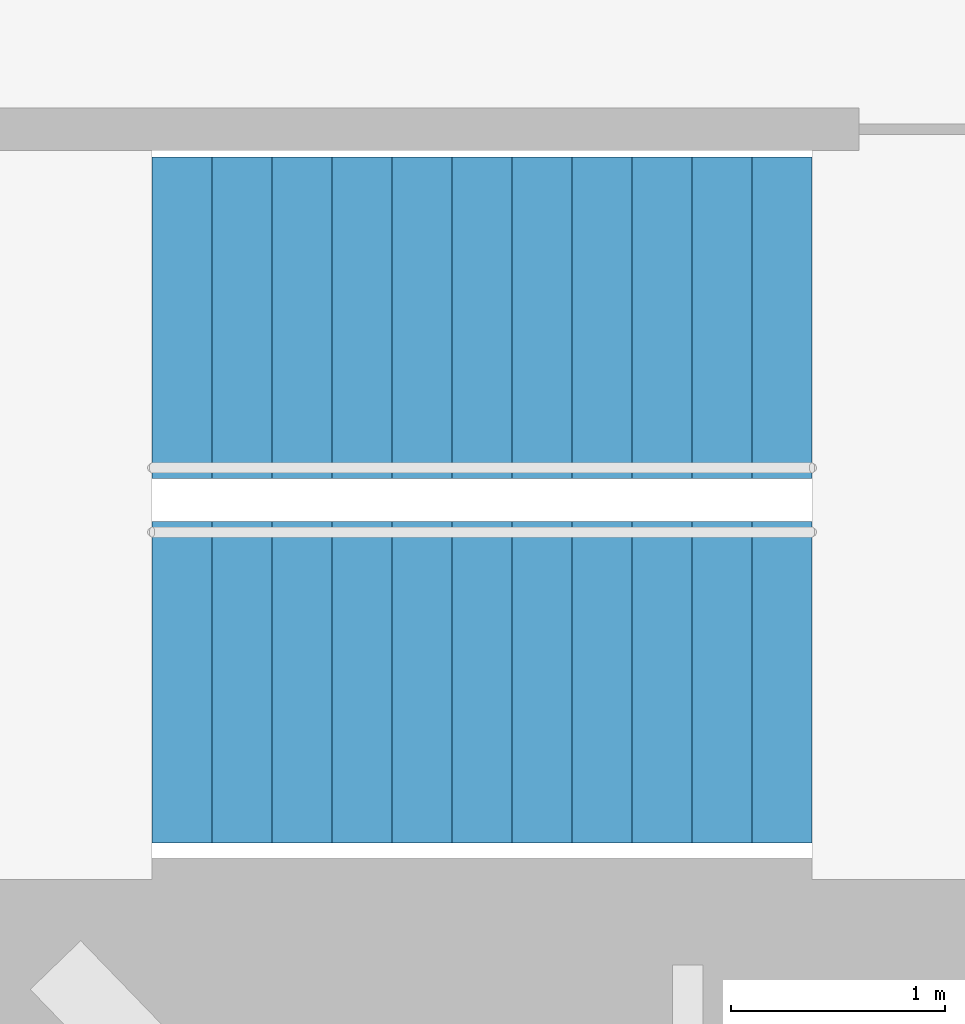
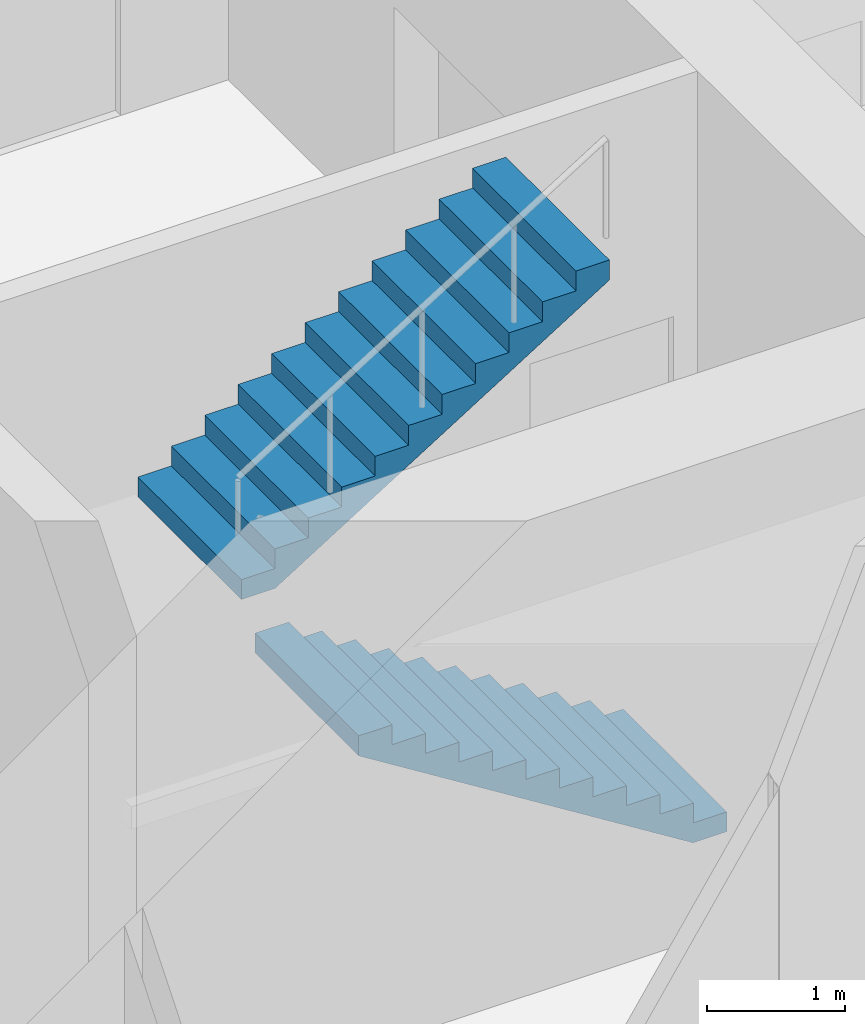
# One storey, part 18 of 19: 2 stair flights, 1 element without a shape of its own.
"""IFC4 building model written with IfcOpenShell, lengths in metres."""

from ifc_helpers import new_model, si_unit, direction, frame, origin, place, context, subcontext, project, spatial, triangles, material, type_object, element, aggregate, save


model = new_model("IFC4")

# Units and contexts
model_context = context("Model", 3, precision=1e-05, world=origin(), true_north=direction((0.0, 1.0)))
body_context = subcontext(model_context, "Body", "Model", "MODEL_VIEW")
ifc_project = project(units=[si_unit("LENGTHUNIT", "METRE"), si_unit("AREAUNIT", "SQUARE_METRE"), si_unit("VOLUMEUNIT", "CUBIC_METRE"), si_unit("PLANEANGLEUNIT", "RADIAN"), si_unit("MASSUNIT", "GRAM", prefix="KILO")], contexts=[model_context])

# Site, building, storey
site_placement = place(None, origin())
site = spatial("IfcSite", under=ifc_project, at=site_placement, CompositionType="ELEMENT")
building_placement = place(site_placement, origin())
building = spatial("IfcBuilding", under=site, at=building_placement, Name="Lantaw Convention Tower", CompositionType="ELEMENT")
storey_placement = place(building_placement, frame((0.0, 0.0, 249.39990234375)))
storey = spatial("IfcBuildingStorey", under=building, at=storey_placement, Name="L58", CompositionType="ELEMENT", Elevation=249.39990234375)

# Stair, stair flights
ifc_material = material(Name="Concrete C35/45", Category="concrete")
stair_type = type_object("IfcStairType", Name="Exit stair 1500 riser 175 in 2 flights", PredefinedType="HALF_TURN_STAIR", material=ifc_material)
stair_placement = place(storey_placement, origin())
stair = element("IfcStair", 1, at=stair_placement, inside=storey, type_object=stair_type, Name="Exit stair S2 L58", PredefinedType="HALF_TURN_STAIR")
stair_flight_type = type_object("IfcStairFlightType", Name="Stair flight 1500 riser 175", PredefinedType="STRAIGHT", material=ifc_material)
stair_flight_1_placement = place(storey_placement, frame((10.580078125, -5.97998046875, 0.0), z_axis=(0.0, 0.0, 1.0), x_axis=(-1.0, 0.0, 0.0)))
stair_flight_1 = element("IfcStairFlight", 2, at=stair_flight_1_placement, type_object=stair_flight_type, Name="S2 flight 1", NumberOfRisers=12, NumberOfTreads=11, PredefinedType="STRAIGHT", RiserHeight=0.175, TreadLength=0.28, context=body_context, shape_type="Tessellation", body=[
    triangles([(0.0, 0.75, 0.0), (0.0, 0.75, 0.175), (0.28, 0.75, 0.0), (0.28, 0.75, 0.175), (0.28, 0.75, 0.35), (0.28283517651771284, 0.75, 0.0), (0.28283517651771284, 0.75, 0.35), (0.56, 0.75, 0.17322801467642948), (0.56, 0.75, 0.35), (0.56, 0.75, 0.5249999999999999), (0.8400000000000001, 0.75, 0.34822801467642944), (0.8400000000000001, 0.75, 0.5249999999999999), (0.8400000000000001, 0.75, 0.7), (1.12, 0.75, 0.5232280146764294), (1.12, 0.75, 0.7), (1.12, 0.75, 0.875), (1.4000000000000001, 0.75, 0.6982280146764295), (1.4000000000000001, 0.75, 0.875), (1.4000000000000001, 0.75, 1.0499999999999998), (1.6800000000000002, 0.75, 0.8732280146764294), (1.6800000000000002, 0.75, 1.0499999999999998), (1.6800000000000002, 0.75, 1.2249999999999999), (1.9600000000000002, 0.75, 1.0482280146764293), (1.9600000000000002, 0.75, 1.2249999999999999), (1.9600000000000002, 0.75, 1.4), (2.24, 0.75, 1.2232280146764294), (2.24, 0.75, 1.4), (2.24, 0.75, 1.575), (2.5200000000000005, 0.75, 1.3982280146764294), (2.5200000000000005, 0.75, 1.575), (2.5200000000000005, 0.75, 1.75), (2.8000000000000003, 0.75, 1.5732280146764293), (2.8000000000000003, 0.75, 1.75), (2.8000000000000003, 0.75, 1.9249999999999998), (3.08, 0.75, 1.7482280146764293), (3.08, 0.75, 1.9249999999999998), (0.0, -0.75, 0.0), (0.0, -0.75, 0.175), (0.28, -0.75, 0.0), (0.28, -0.75, 0.175), (0.28, -0.75, 0.35), (0.28283517651771284, -0.75, 0.0), (0.28283517651771284, -0.75, 0.35), (0.56, -0.75, 0.17322801467642948), (0.56, -0.75, 0.35), (0.56, -0.75, 0.5249999999999999), (0.8400000000000001, -0.75, 0.34822801467642944), (0.8400000000000001, -0.75, 0.5249999999999999), (0.8400000000000001, -0.75, 0.7), (1.12, -0.75, 0.5232280146764294), (1.12, -0.75, 0.7), (1.12, -0.75, 0.875), (1.4000000000000001, -0.75, 0.6982280146764295), (1.4000000000000001, -0.75, 0.875), (1.4000000000000001, -0.75, 1.0499999999999998), (1.6800000000000002, -0.75, 0.8732280146764294), (1.6800000000000002, -0.75, 1.0499999999999998), (1.6800000000000002, -0.75, 1.2249999999999999), (1.9600000000000002, -0.75, 1.0482280146764293), (1.9600000000000002, -0.75, 1.2249999999999999), (1.9600000000000002, -0.75, 1.4), (2.24, -0.75, 1.2232280146764294), (2.24, -0.75, 1.4), (2.24, -0.75, 1.575), (2.5200000000000005, -0.75, 1.3982280146764294), (2.5200000000000005, -0.75, 1.575), (2.5200000000000005, -0.75, 1.75), (2.8000000000000003, -0.75, 1.5732280146764293), (2.8000000000000003, -0.75, 1.75), (2.8000000000000003, -0.75, 1.9249999999999998), (3.08, -0.75, 1.7482280146764293), (3.08, -0.75, 1.9249999999999998), (0.0, 0.15000000000000002, 0.175), (0.0, 0.15000000000000002, 0.0), (0.0, 0.0, 0.175), (0.0, 0.0, 0.0), (0.0, -0.15000000000000002, 0.175), (0.0, -0.15000000000000002, 0.0), (0.28, 0.15000000000000002, 0.35), (0.28, 0.15000000000000002, 0.175), (0.28, 0.0, 0.35), (0.28, 0.0, 0.175), (0.28, -0.15000000000000002, 0.35), (0.28, -0.15000000000000002, 0.175), (0.56, 0.15000000000000002, 0.5249999999999999), (0.56, 0.15000000000000002, 0.35), (0.56, 0.0, 0.5249999999999999), (0.56, 0.0, 0.35), (0.56, -0.15000000000000002, 0.5249999999999999), (0.56, -0.15000000000000002, 0.35), (0.8400000000000001, 0.15000000000000002, 0.7), (0.8400000000000001, 0.15000000000000002, 0.5249999999999999), (0.8400000000000001, 0.0, 0.7), (0.8400000000000001, 0.0, 0.5249999999999999), (0.8400000000000001, -0.15000000000000002, 0.7), (0.8400000000000001, -0.15000000000000002, 0.5249999999999999), (1.12, 0.15000000000000002, 0.875), (1.12, 0.15000000000000002, 0.7), (1.12, 0.0, 0.875), (1.12, 0.0, 0.7), (1.12, -0.15000000000000002, 0.875), (1.12, -0.15000000000000002, 0.7), (1.4000000000000001, 0.15000000000000002, 1.0499999999999998), (1.4000000000000001, 0.15000000000000002, 0.875), (1.4000000000000001, 0.0, 1.0499999999999998), (1.4000000000000001, 0.0, 0.875), (1.4000000000000001, -0.15000000000000002, 1.0499999999999998), (1.4000000000000001, -0.15000000000000002, 0.875), (1.6800000000000002, 0.15000000000000002, 1.2249999999999999), (1.6800000000000002, 0.15000000000000002, 1.0499999999999998), (1.6800000000000002, 0.0, 1.2249999999999999), (1.6800000000000002, 0.0, 1.0499999999999998), (1.6800000000000002, -0.15000000000000002, 1.2249999999999999), (1.6800000000000002, -0.15000000000000002, 1.0499999999999998), (1.9600000000000002, 0.15000000000000002, 1.4), (1.9600000000000002, 0.15000000000000002, 1.2249999999999999), (1.9600000000000002, 0.0, 1.4), (1.9600000000000002, 0.0, 1.2249999999999999), (1.9600000000000002, -0.15000000000000002, 1.4), (1.9600000000000002, -0.15000000000000002, 1.2249999999999999), (2.24, 0.15000000000000002, 1.575), (2.24, 0.15000000000000002, 1.4), (2.24, 0.0, 1.575), (2.24, 0.0, 1.4), (2.24, -0.15000000000000002, 1.575), (2.24, -0.15000000000000002, 1.4), (2.5200000000000005, 0.15000000000000002, 1.75), (2.5200000000000005, 0.15000000000000002, 1.575), (2.5200000000000005, 0.0, 1.75), (2.5200000000000005, 0.0, 1.575), (2.5200000000000005, -0.15000000000000002, 1.75), (2.5200000000000005, -0.15000000000000002, 1.575), (2.8000000000000003, 0.15000000000000002, 1.9249999999999998), (2.8000000000000003, 0.15000000000000002, 1.75), (2.8000000000000003, 0.0, 1.9249999999999998), (2.8000000000000003, 0.0, 1.75), (2.8000000000000003, -0.15000000000000002, 1.9249999999999998), (2.8000000000000003, -0.15000000000000002, 1.75), (0.28283517651771284, 0.15000000000000002, 0.35), (0.28283517651771284, 0.0, 0.35), (0.28283517651771284, -0.15000000000000002, 0.35), (3.08, 0.15000000000000002, 1.9249999999999998), (3.08, 0.0, 1.9249999999999998), (3.08, -0.15000000000000002, 1.9249999999999998), (3.08, 0.15000000000000002, 1.7482280146764293), (3.08, 0.0, 1.7482280146764293), (3.08, -0.15000000000000002, 1.7482280146764293), (2.8000000000000003, 0.15000000000000002, 1.5732280146764293), (2.8000000000000003, 0.0, 1.5732280146764293), (2.8000000000000003, -0.15000000000000002, 1.5732280146764293), (2.5200000000000005, 0.15000000000000002, 1.3982280146764294), (2.5200000000000005, 0.0, 1.3982280146764294), (2.5200000000000005, -0.15000000000000002, 1.3982280146764294), (2.24, 0.15000000000000002, 1.2232280146764294), (2.24, 0.0, 1.2232280146764294), (2.24, -0.15000000000000002, 1.2232280146764294), (1.9600000000000002, 0.15000000000000002, 1.0482280146764293), (1.9600000000000002, 0.0, 1.0482280146764293), (1.9600000000000002, -0.15000000000000002, 1.0482280146764293), (1.6800000000000002, 0.15000000000000002, 0.8732280146764294), (1.6800000000000002, 0.0, 0.8732280146764294), (1.6800000000000002, -0.15000000000000002, 0.8732280146764294), (1.4000000000000001, 0.15000000000000002, 0.6982280146764295), (1.4000000000000001, 0.0, 0.6982280146764295), (1.4000000000000001, -0.15000000000000002, 0.6982280146764295), (1.12, 0.15000000000000002, 0.5232280146764294), (1.12, 0.0, 0.5232280146764294), (1.12, -0.15000000000000002, 0.5232280146764294), (0.8400000000000001, 0.15000000000000002, 0.34822801467642944), (0.8400000000000001, 0.0, 0.34822801467642944), (0.8400000000000001, -0.15000000000000002, 0.34822801467642944), (0.56, 0.15000000000000002, 0.17322801467642948), (0.56, 0.0, 0.17322801467642948), (0.56, -0.15000000000000002, 0.17322801467642948), (0.28283517651771284, 0.15000000000000002, 0.0), (0.28283517651771284, 0.0, 0.0), (0.28283517651771284, -0.15000000000000002, 0.0), (0.28, 0.15000000000000002, 0.0), (0.28, 0.0, 0.0), (0.28, -0.15000000000000002, 0.0)], [[1, 4, 3], [1, 2, 4], [3, 4, 6], [4, 7, 6], [4, 5, 7], [6, 9, 8], [6, 7, 9], [8, 9, 11], [9, 12, 11], [9, 10, 12], [11, 12, 14], [12, 15, 14], [12, 13, 15], [14, 15, 17], [15, 18, 17], [15, 16, 18], [17, 18, 20], [18, 21, 20], [18, 19, 21], [20, 21, 23], [21, 24, 23], [21, 22, 24], [23, 24, 26], [24, 27, 26], [24, 25, 27], [26, 27, 29], [27, 30, 29], [27, 28, 30], [29, 30, 32], [30, 33, 32], [30, 31, 33], [32, 33, 35], [33, 36, 35], [33, 34, 36], [37, 39, 40], [37, 40, 38], [39, 42, 40], [40, 42, 43], [40, 43, 41], [42, 44, 45], [42, 45, 43], [44, 47, 45], [45, 47, 48], [45, 48, 46], [47, 50, 48], [48, 50, 51], [48, 51, 49], [50, 53, 51], [51, 53, 54], [51, 54, 52], [53, 56, 54], [54, 56, 57], [54, 57, 55], [56, 59, 57], [57, 59, 60], [57, 60, 58], [59, 62, 60], [60, 62, 63], [60, 63, 61], [62, 65, 63], [63, 65, 66], [63, 66, 64], [65, 68, 66], [66, 68, 69], [66, 69, 67], [68, 71, 69], [69, 71, 72], [69, 72, 70], [1, 73, 2], [1, 74, 73], [74, 75, 73], [74, 76, 75], [76, 77, 75], [76, 78, 77], [78, 38, 77], [78, 37, 38], [4, 79, 5], [4, 80, 79], [80, 81, 79], [80, 82, 81], [82, 83, 81], [82, 84, 83], [84, 41, 83], [84, 40, 41], [9, 85, 10], [9, 86, 85], [86, 87, 85], [86, 88, 87], [88, 89, 87], [88, 90, 89], [90, 46, 89], [90, 45, 46], [12, 91, 13], [12, 92, 91], [92, 93, 91], [92, 94, 93], [94, 95, 93], [94, 96, 95], [96, 49, 95], [96, 48, 49], [15, 97, 16], [15, 98, 97], [98, 99, 97], [98, 100, 99], [100, 101, 99], [100, 102, 101], [102, 52, 101], [102, 51, 52], [18, 103, 19], [18, 104, 103], [104, 105, 103], [104, 106, 105], [106, 107, 105], [106, 108, 107], [108, 55, 107], [108, 54, 55], [21, 109, 22], [21, 110, 109], [110, 111, 109], [110, 112, 111], [112, 113, 111], [112, 114, 113], [114, 58, 113], [114, 57, 58], [24, 115, 25], [24, 116, 115], [116, 117, 115], [116, 118, 117], [118, 119, 117], [118, 120, 119], [120, 61, 119], [120, 60, 61], [27, 121, 28], [27, 122, 121], [122, 123, 121], [122, 124, 123], [124, 125, 123], [124, 126, 125], [126, 64, 125], [126, 63, 64], [30, 127, 31], [30, 128, 127], [128, 129, 127], [128, 130, 129], [130, 131, 129], [130, 132, 131], [132, 67, 131], [132, 66, 67], [33, 133, 34], [33, 134, 133], [134, 135, 133], [134, 136, 135], [136, 137, 135], [136, 138, 137], [138, 70, 137], [138, 69, 70], [2, 80, 4], [2, 73, 80], [73, 82, 80], [73, 75, 82], [75, 84, 82], [75, 77, 84], [77, 40, 84], [77, 38, 40], [5, 139, 7], [5, 79, 139], [79, 140, 139], [79, 81, 140], [81, 141, 140], [81, 83, 141], [83, 43, 141], [83, 41, 43], [7, 86, 9], [7, 139, 86], [139, 88, 86], [139, 140, 88], [140, 90, 88], [140, 141, 90], [141, 45, 90], [141, 43, 45], [10, 92, 12], [10, 85, 92], [85, 94, 92], [85, 87, 94], [87, 96, 94], [87, 89, 96], [89, 48, 96], [89, 46, 48], [13, 98, 15], [13, 91, 98], [91, 100, 98], [91, 93, 100], [93, 102, 100], [93, 95, 102], [95, 51, 102], [95, 49, 51], [16, 104, 18], [16, 97, 104], [97, 106, 104], [97, 99, 106], [99, 108, 106], [99, 101, 108], [101, 54, 108], [101, 52, 54], [19, 110, 21], [19, 103, 110], [103, 112, 110], [103, 105, 112], [105, 114, 112], [105, 107, 114], [107, 57, 114], [107, 55, 57], [22, 116, 24], [22, 109, 116], [109, 118, 116], [109, 111, 118], [111, 120, 118], [111, 113, 120], [113, 60, 120], [113, 58, 60], [25, 122, 27], [25, 115, 122], [115, 124, 122], [115, 117, 124], [117, 126, 124], [117, 119, 126], [119, 63, 126], [119, 61, 63], [28, 128, 30], [28, 121, 128], [121, 130, 128], [121, 123, 130], [123, 132, 130], [123, 125, 132], [125, 66, 132], [125, 64, 66], [31, 134, 33], [31, 127, 134], [127, 136, 134], [127, 129, 136], [129, 138, 136], [129, 131, 138], [131, 69, 138], [131, 67, 69], [34, 142, 36], [34, 133, 142], [133, 143, 142], [133, 135, 143], [135, 144, 143], [135, 137, 144], [137, 72, 144], [137, 70, 72], [36, 145, 35], [36, 142, 145], [142, 146, 145], [142, 143, 146], [143, 147, 146], [143, 144, 147], [144, 71, 147], [144, 72, 71], [35, 148, 32], [35, 145, 148], [145, 149, 148], [145, 146, 149], [146, 150, 149], [146, 147, 150], [147, 68, 150], [147, 71, 68], [32, 151, 29], [32, 148, 151], [148, 152, 151], [148, 149, 152], [149, 153, 152], [149, 150, 153], [150, 65, 153], [150, 68, 65], [29, 154, 26], [29, 151, 154], [151, 155, 154], [151, 152, 155], [152, 156, 155], [152, 153, 156], [153, 62, 156], [153, 65, 62], [26, 157, 23], [26, 154, 157], [154, 158, 157], [154, 155, 158], [155, 159, 158], [155, 156, 159], [156, 59, 159], [156, 62, 59], [23, 160, 20], [23, 157, 160], [157, 161, 160], [157, 158, 161], [158, 162, 161], [158, 159, 162], [159, 56, 162], [159, 59, 56], [20, 163, 17], [20, 160, 163], [160, 164, 163], [160, 161, 164], [161, 165, 164], [161, 162, 165], [162, 53, 165], [162, 56, 53], [17, 166, 14], [17, 163, 166], [163, 167, 166], [163, 164, 167], [164, 168, 167], [164, 165, 168], [165, 50, 168], [165, 53, 50], [14, 169, 11], [14, 166, 169], [166, 170, 169], [166, 167, 170], [167, 171, 170], [167, 168, 171], [168, 47, 171], [168, 50, 47], [11, 172, 8], [11, 169, 172], [169, 173, 172], [169, 170, 173], [170, 174, 173], [170, 171, 174], [171, 44, 174], [171, 47, 44], [8, 175, 6], [8, 172, 175], [172, 176, 175], [172, 173, 176], [173, 177, 176], [173, 174, 177], [174, 42, 177], [174, 44, 42], [6, 178, 3], [6, 175, 178], [175, 179, 178], [175, 176, 179], [176, 180, 179], [176, 177, 180], [177, 39, 180], [177, 42, 39], [3, 74, 1], [3, 178, 74], [178, 76, 74], [178, 179, 76], [179, 78, 76], [179, 180, 78], [180, 37, 78], [180, 39, 37]], closed=True),
])
stair_flight_2_placement = place(storey_placement, frame((7.5, -4.280029296875, 2.10009765625), z_axis=(0.0, 0.0, 1.0), x_axis=(1.0, 0.0, 0.0)))
stair_flight_2 = element("IfcStairFlight", 3, at=stair_flight_2_placement, type_object=stair_flight_type, Name="S2 flight 2", NumberOfRisers=12, NumberOfTreads=11, PredefinedType="STRAIGHT", RiserHeight=0.175, TreadLength=0.28, context=body_context, shape_type="Tessellation", body=[
    triangles([(0.0, 0.75, 0.0), (0.0, 0.75, 0.175), (0.28, 0.75, 0.0), (0.28, 0.75, 0.175), (0.28, 0.75, 0.35), (0.28283517651771284, 0.75, 0.0), (0.28283517651771284, 0.75, 0.35), (0.56, 0.75, 0.17322801467642948), (0.56, 0.75, 0.35), (0.56, 0.75, 0.5249999999999999), (0.8400000000000001, 0.75, 0.34822801467642944), (0.8400000000000001, 0.75, 0.5249999999999999), (0.8400000000000001, 0.75, 0.7), (1.12, 0.75, 0.5232280146764294), (1.12, 0.75, 0.7), (1.12, 0.75, 0.875), (1.4000000000000001, 0.75, 0.6982280146764295), (1.4000000000000001, 0.75, 0.875), (1.4000000000000001, 0.75, 1.0499999999999998), (1.6800000000000002, 0.75, 0.8732280146764294), (1.6800000000000002, 0.75, 1.0499999999999998), (1.6800000000000002, 0.75, 1.2249999999999999), (1.9600000000000002, 0.75, 1.0482280146764293), (1.9600000000000002, 0.75, 1.2249999999999999), (1.9600000000000002, 0.75, 1.4), (2.24, 0.75, 1.2232280146764294), (2.24, 0.75, 1.4), (2.24, 0.75, 1.575), (2.5200000000000005, 0.75, 1.3982280146764294), (2.5200000000000005, 0.75, 1.575), (2.5200000000000005, 0.75, 1.75), (2.8000000000000003, 0.75, 1.5732280146764293), (2.8000000000000003, 0.75, 1.75), (2.8000000000000003, 0.75, 1.9249999999999998), (3.08, 0.75, 1.7482280146764293), (3.08, 0.75, 1.9249999999999998), (0.0, -0.75, 0.0), (0.0, -0.75, 0.175), (0.28, -0.75, 0.0), (0.28, -0.75, 0.175), (0.28, -0.75, 0.35), (0.28283517651771284, -0.75, 0.0), (0.28283517651771284, -0.75, 0.35), (0.56, -0.75, 0.17322801467642948), (0.56, -0.75, 0.35), (0.56, -0.75, 0.5249999999999999), (0.8400000000000001, -0.75, 0.34822801467642944), (0.8400000000000001, -0.75, 0.5249999999999999), (0.8400000000000001, -0.75, 0.7), (1.12, -0.75, 0.5232280146764294), (1.12, -0.75, 0.7), (1.12, -0.75, 0.875), (1.4000000000000001, -0.75, 0.6982280146764295), (1.4000000000000001, -0.75, 0.875), (1.4000000000000001, -0.75, 1.0499999999999998), (1.6800000000000002, -0.75, 0.8732280146764294), (1.6800000000000002, -0.75, 1.0499999999999998), (1.6800000000000002, -0.75, 1.2249999999999999), (1.9600000000000002, -0.75, 1.0482280146764293), (1.9600000000000002, -0.75, 1.2249999999999999), (1.9600000000000002, -0.75, 1.4), (2.24, -0.75, 1.2232280146764294), (2.24, -0.75, 1.4), (2.24, -0.75, 1.575), (2.5200000000000005, -0.75, 1.3982280146764294), (2.5200000000000005, -0.75, 1.575), (2.5200000000000005, -0.75, 1.75), (2.8000000000000003, -0.75, 1.5732280146764293), (2.8000000000000003, -0.75, 1.75), (2.8000000000000003, -0.75, 1.9249999999999998), (3.08, -0.75, 1.7482280146764293), (3.08, -0.75, 1.9249999999999998), (0.0, 0.15000000000000002, 0.175), (0.0, 0.15000000000000002, 0.0), (0.0, 0.0, 0.175), (0.0, 0.0, 0.0), (0.0, -0.15000000000000002, 0.175), (0.0, -0.15000000000000002, 0.0), (0.28, 0.15000000000000002, 0.35), (0.28, 0.15000000000000002, 0.175), (0.28, 0.0, 0.35), (0.28, 0.0, 0.175), (0.28, -0.15000000000000002, 0.35), (0.28, -0.15000000000000002, 0.175), (0.56, 0.15000000000000002, 0.5249999999999999), (0.56, 0.15000000000000002, 0.35), (0.56, 0.0, 0.5249999999999999), (0.56, 0.0, 0.35), (0.56, -0.15000000000000002, 0.5249999999999999), (0.56, -0.15000000000000002, 0.35), (0.8400000000000001, 0.15000000000000002, 0.7), (0.8400000000000001, 0.15000000000000002, 0.5249999999999999), (0.8400000000000001, 0.0, 0.7), (0.8400000000000001, 0.0, 0.5249999999999999), (0.8400000000000001, -0.15000000000000002, 0.7), (0.8400000000000001, -0.15000000000000002, 0.5249999999999999), (1.12, 0.15000000000000002, 0.875), (1.12, 0.15000000000000002, 0.7), (1.12, 0.0, 0.875), (1.12, 0.0, 0.7), (1.12, -0.15000000000000002, 0.875), (1.12, -0.15000000000000002, 0.7), (1.4000000000000001, 0.15000000000000002, 1.0499999999999998), (1.4000000000000001, 0.15000000000000002, 0.875), (1.4000000000000001, 0.0, 1.0499999999999998), (1.4000000000000001, 0.0, 0.875), (1.4000000000000001, -0.15000000000000002, 1.0499999999999998), (1.4000000000000001, -0.15000000000000002, 0.875), (1.6800000000000002, 0.15000000000000002, 1.2249999999999999), (1.6800000000000002, 0.15000000000000002, 1.0499999999999998), (1.6800000000000002, 0.0, 1.2249999999999999), (1.6800000000000002, 0.0, 1.0499999999999998), (1.6800000000000002, -0.15000000000000002, 1.2249999999999999), (1.6800000000000002, -0.15000000000000002, 1.0499999999999998), (1.9600000000000002, 0.15000000000000002, 1.4), (1.9600000000000002, 0.15000000000000002, 1.2249999999999999), (1.9600000000000002, 0.0, 1.4), (1.9600000000000002, 0.0, 1.2249999999999999), (1.9600000000000002, -0.15000000000000002, 1.4), (1.9600000000000002, -0.15000000000000002, 1.2249999999999999), (2.24, 0.15000000000000002, 1.575), (2.24, 0.15000000000000002, 1.4), (2.24, 0.0, 1.575), (2.24, 0.0, 1.4), (2.24, -0.15000000000000002, 1.575), (2.24, -0.15000000000000002, 1.4), (2.5200000000000005, 0.15000000000000002, 1.75), (2.5200000000000005, 0.15000000000000002, 1.575), (2.5200000000000005, 0.0, 1.75), (2.5200000000000005, 0.0, 1.575), (2.5200000000000005, -0.15000000000000002, 1.75), (2.5200000000000005, -0.15000000000000002, 1.575), (2.8000000000000003, 0.15000000000000002, 1.9249999999999998), (2.8000000000000003, 0.15000000000000002, 1.75), (2.8000000000000003, 0.0, 1.9249999999999998), (2.8000000000000003, 0.0, 1.75), (2.8000000000000003, -0.15000000000000002, 1.9249999999999998), (2.8000000000000003, -0.15000000000000002, 1.75), (0.28283517651771284, 0.15000000000000002, 0.35), (0.28283517651771284, 0.0, 0.35), (0.28283517651771284, -0.15000000000000002, 0.35), (3.08, 0.15000000000000002, 1.9249999999999998), (3.08, 0.0, 1.9249999999999998), (3.08, -0.15000000000000002, 1.9249999999999998), (3.08, 0.15000000000000002, 1.7482280146764293), (3.08, 0.0, 1.7482280146764293), (3.08, -0.15000000000000002, 1.7482280146764293), (2.8000000000000003, 0.15000000000000002, 1.5732280146764293), (2.8000000000000003, 0.0, 1.5732280146764293), (2.8000000000000003, -0.15000000000000002, 1.5732280146764293), (2.5200000000000005, 0.15000000000000002, 1.3982280146764294), (2.5200000000000005, 0.0, 1.3982280146764294), (2.5200000000000005, -0.15000000000000002, 1.3982280146764294), (2.24, 0.15000000000000002, 1.2232280146764294), (2.24, 0.0, 1.2232280146764294), (2.24, -0.15000000000000002, 1.2232280146764294), (1.9600000000000002, 0.15000000000000002, 1.0482280146764293), (1.9600000000000002, 0.0, 1.0482280146764293), (1.9600000000000002, -0.15000000000000002, 1.0482280146764293), (1.6800000000000002, 0.15000000000000002, 0.8732280146764294), (1.6800000000000002, 0.0, 0.8732280146764294), (1.6800000000000002, -0.15000000000000002, 0.8732280146764294), (1.4000000000000001, 0.15000000000000002, 0.6982280146764295), (1.4000000000000001, 0.0, 0.6982280146764295), (1.4000000000000001, -0.15000000000000002, 0.6982280146764295), (1.12, 0.15000000000000002, 0.5232280146764294), (1.12, 0.0, 0.5232280146764294), (1.12, -0.15000000000000002, 0.5232280146764294), (0.8400000000000001, 0.15000000000000002, 0.34822801467642944), (0.8400000000000001, 0.0, 0.34822801467642944), (0.8400000000000001, -0.15000000000000002, 0.34822801467642944), (0.56, 0.15000000000000002, 0.17322801467642948), (0.56, 0.0, 0.17322801467642948), (0.56, -0.15000000000000002, 0.17322801467642948), (0.28283517651771284, 0.15000000000000002, 0.0), (0.28283517651771284, 0.0, 0.0), (0.28283517651771284, -0.15000000000000002, 0.0), (0.28, 0.15000000000000002, 0.0), (0.28, 0.0, 0.0), (0.28, -0.15000000000000002, 0.0)], [[1, 4, 3], [1, 2, 4], [3, 4, 6], [4, 7, 6], [4, 5, 7], [6, 9, 8], [6, 7, 9], [8, 9, 11], [9, 12, 11], [9, 10, 12], [11, 12, 14], [12, 15, 14], [12, 13, 15], [14, 15, 17], [15, 18, 17], [15, 16, 18], [17, 18, 20], [18, 21, 20], [18, 19, 21], [20, 21, 23], [21, 24, 23], [21, 22, 24], [23, 24, 26], [24, 27, 26], [24, 25, 27], [26, 27, 29], [27, 30, 29], [27, 28, 30], [29, 30, 32], [30, 33, 32], [30, 31, 33], [32, 33, 35], [33, 36, 35], [33, 34, 36], [37, 39, 40], [37, 40, 38], [39, 42, 40], [40, 42, 43], [40, 43, 41], [42, 44, 45], [42, 45, 43], [44, 47, 45], [45, 47, 48], [45, 48, 46], [47, 50, 48], [48, 50, 51], [48, 51, 49], [50, 53, 51], [51, 53, 54], [51, 54, 52], [53, 56, 54], [54, 56, 57], [54, 57, 55], [56, 59, 57], [57, 59, 60], [57, 60, 58], [59, 62, 60], [60, 62, 63], [60, 63, 61], [62, 65, 63], [63, 65, 66], [63, 66, 64], [65, 68, 66], [66, 68, 69], [66, 69, 67], [68, 71, 69], [69, 71, 72], [69, 72, 70], [1, 73, 2], [1, 74, 73], [74, 75, 73], [74, 76, 75], [76, 77, 75], [76, 78, 77], [78, 38, 77], [78, 37, 38], [4, 79, 5], [4, 80, 79], [80, 81, 79], [80, 82, 81], [82, 83, 81], [82, 84, 83], [84, 41, 83], [84, 40, 41], [9, 85, 10], [9, 86, 85], [86, 87, 85], [86, 88, 87], [88, 89, 87], [88, 90, 89], [90, 46, 89], [90, 45, 46], [12, 91, 13], [12, 92, 91], [92, 93, 91], [92, 94, 93], [94, 95, 93], [94, 96, 95], [96, 49, 95], [96, 48, 49], [15, 97, 16], [15, 98, 97], [98, 99, 97], [98, 100, 99], [100, 101, 99], [100, 102, 101], [102, 52, 101], [102, 51, 52], [18, 103, 19], [18, 104, 103], [104, 105, 103], [104, 106, 105], [106, 107, 105], [106, 108, 107], [108, 55, 107], [108, 54, 55], [21, 109, 22], [21, 110, 109], [110, 111, 109], [110, 112, 111], [112, 113, 111], [112, 114, 113], [114, 58, 113], [114, 57, 58], [24, 115, 25], [24, 116, 115], [116, 117, 115], [116, 118, 117], [118, 119, 117], [118, 120, 119], [120, 61, 119], [120, 60, 61], [27, 121, 28], [27, 122, 121], [122, 123, 121], [122, 124, 123], [124, 125, 123], [124, 126, 125], [126, 64, 125], [126, 63, 64], [30, 127, 31], [30, 128, 127], [128, 129, 127], [128, 130, 129], [130, 131, 129], [130, 132, 131], [132, 67, 131], [132, 66, 67], [33, 133, 34], [33, 134, 133], [134, 135, 133], [134, 136, 135], [136, 137, 135], [136, 138, 137], [138, 70, 137], [138, 69, 70], [2, 80, 4], [2, 73, 80], [73, 82, 80], [73, 75, 82], [75, 84, 82], [75, 77, 84], [77, 40, 84], [77, 38, 40], [5, 139, 7], [5, 79, 139], [79, 140, 139], [79, 81, 140], [81, 141, 140], [81, 83, 141], [83, 43, 141], [83, 41, 43], [7, 86, 9], [7, 139, 86], [139, 88, 86], [139, 140, 88], [140, 90, 88], [140, 141, 90], [141, 45, 90], [141, 43, 45], [10, 92, 12], [10, 85, 92], [85, 94, 92], [85, 87, 94], [87, 96, 94], [87, 89, 96], [89, 48, 96], [89, 46, 48], [13, 98, 15], [13, 91, 98], [91, 100, 98], [91, 93, 100], [93, 102, 100], [93, 95, 102], [95, 51, 102], [95, 49, 51], [16, 104, 18], [16, 97, 104], [97, 106, 104], [97, 99, 106], [99, 108, 106], [99, 101, 108], [101, 54, 108], [101, 52, 54], [19, 110, 21], [19, 103, 110], [103, 112, 110], [103, 105, 112], [105, 114, 112], [105, 107, 114], [107, 57, 114], [107, 55, 57], [22, 116, 24], [22, 109, 116], [109, 118, 116], [109, 111, 118], [111, 120, 118], [111, 113, 120], [113, 60, 120], [113, 58, 60], [25, 122, 27], [25, 115, 122], [115, 124, 122], [115, 117, 124], [117, 126, 124], [117, 119, 126], [119, 63, 126], [119, 61, 63], [28, 128, 30], [28, 121, 128], [121, 130, 128], [121, 123, 130], [123, 132, 130], [123, 125, 132], [125, 66, 132], [125, 64, 66], [31, 134, 33], [31, 127, 134], [127, 136, 134], [127, 129, 136], [129, 138, 136], [129, 131, 138], [131, 69, 138], [131, 67, 69], [34, 142, 36], [34, 133, 142], [133, 143, 142], [133, 135, 143], [135, 144, 143], [135, 137, 144], [137, 72, 144], [137, 70, 72], [36, 145, 35], [36, 142, 145], [142, 146, 145], [142, 143, 146], [143, 147, 146], [143, 144, 147], [144, 71, 147], [144, 72, 71], [35, 148, 32], [35, 145, 148], [145, 149, 148], [145, 146, 149], [146, 150, 149], [146, 147, 150], [147, 68, 150], [147, 71, 68], [32, 151, 29], [32, 148, 151], [148, 152, 151], [148, 149, 152], [149, 153, 152], [149, 150, 153], [150, 65, 153], [150, 68, 65], [29, 154, 26], [29, 151, 154], [151, 155, 154], [151, 152, 155], [152, 156, 155], [152, 153, 156], [153, 62, 156], [153, 65, 62], [26, 157, 23], [26, 154, 157], [154, 158, 157], [154, 155, 158], [155, 159, 158], [155, 156, 159], [156, 59, 159], [156, 62, 59], [23, 160, 20], [23, 157, 160], [157, 161, 160], [157, 158, 161], [158, 162, 161], [158, 159, 162], [159, 56, 162], [159, 59, 56], [20, 163, 17], [20, 160, 163], [160, 164, 163], [160, 161, 164], [161, 165, 164], [161, 162, 165], [162, 53, 165], [162, 56, 53], [17, 166, 14], [17, 163, 166], [163, 167, 166], [163, 164, 167], [164, 168, 167], [164, 165, 168], [165, 50, 168], [165, 53, 50], [14, 169, 11], [14, 166, 169], [166, 170, 169], [166, 167, 170], [167, 171, 170], [167, 168, 171], [168, 47, 171], [168, 50, 47], [11, 172, 8], [11, 169, 172], [169, 173, 172], [169, 170, 173], [170, 174, 173], [170, 171, 174], [171, 44, 174], [171, 47, 44], [8, 175, 6], [8, 172, 175], [172, 176, 175], [172, 173, 176], [173, 177, 176], [173, 174, 177], [174, 42, 177], [174, 44, 42], [6, 178, 3], [6, 175, 178], [175, 179, 178], [175, 176, 179], [176, 180, 179], [176, 177, 180], [177, 39, 180], [177, 42, 39], [3, 74, 1], [3, 178, 74], [178, 76, 74], [178, 179, 76], [179, 78, 76], [179, 180, 78], [180, 37, 78], [180, 39, 37]], closed=True),
])
aggregate(stair, [stair_flight_1, stair_flight_2])

save(model, "model.ifc")
